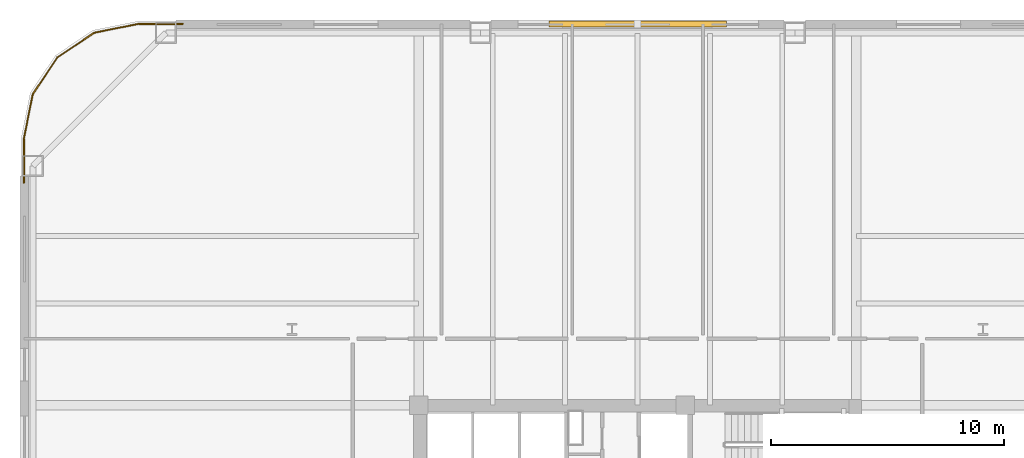
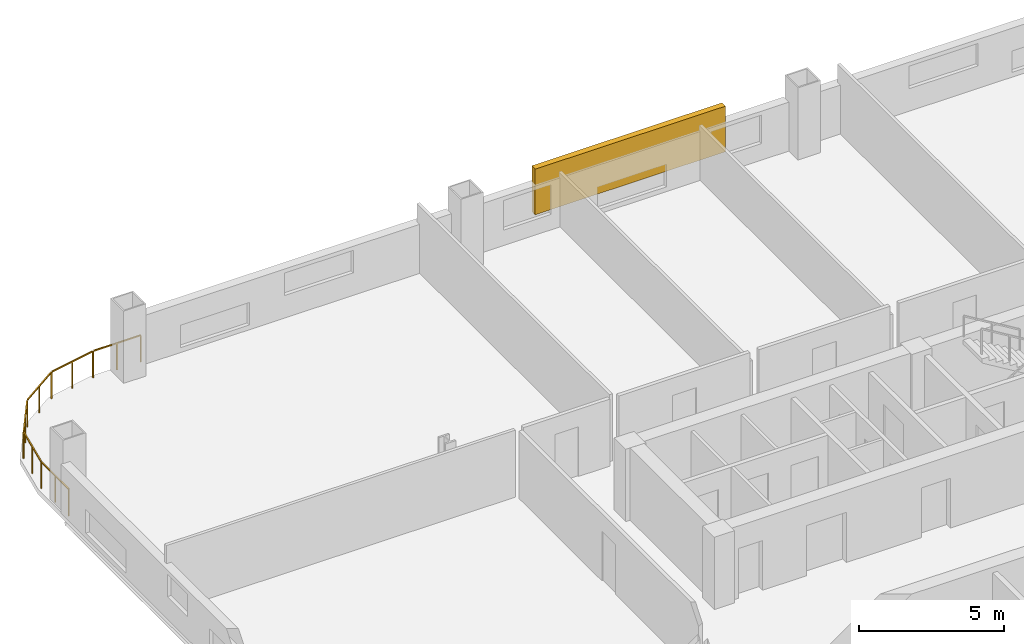
# One storey, part 11 of 12: 1 railing, 1 shading device.
"""IFC4 building model written with IfcOpenShell, lengths in metres."""

from ifc_helpers import new_model, si_unit, direction, frame, origin, origin_2d, place, context, subcontext, project, spatial, rectangle, extrude, material, type_object, element, save


model = new_model("IFC4")

# Units and contexts
model_context = context("Model", 3, precision=1e-05, world=origin(), true_north=direction((0.0, 1.0)))
body_context = subcontext(model_context, "Body", "Model", "MODEL_VIEW")
ifc_project = project(units=[si_unit("LENGTHUNIT", "METRE"), si_unit("AREAUNIT", "SQUARE_METRE"), si_unit("VOLUMEUNIT", "CUBIC_METRE"), si_unit("PLANEANGLEUNIT", "RADIAN"), si_unit("MASSUNIT", "GRAM", prefix="KILO")], contexts=[model_context])

# Site, building, storey
site_placement = place(None, origin())
site = spatial("IfcSite", under=ifc_project, at=site_placement, CompositionType="ELEMENT")
building_placement = place(site_placement, origin())
building = spatial("IfcBuilding", under=site, at=building_placement, Name="Qhalaya Broadcast Tower", CompositionType="ELEMENT")
storey_placement = place(building_placement, frame((0.0, 0.0, 35.25)))
storey = spatial("IfcBuildingStorey", under=building, at=storey_placement, Name="L09", CompositionType="ELEMENT", Elevation=35.25)

# Railing
ifc_material_1 = material(Name="Powder-Coated Galvanised Steel", Category="steel")
railing_type = type_object("IfcRailingType", Name="Terrace, Sky-Pool & Lookout Glass Balustrade 1150", PredefinedType="BALUSTRADE", material=ifc_material_1)
railing_placement = place(storey_placement, frame((-26.280029296875, 19.48193359375, 0.0)))
element("IfcRailing", 1, at=railing_placement, inside=storey, type_object=railing_type, Name="L09 Rounded Corner Perimeter Guard 03", PredefinedType="BALUSTRADE", context=body_context, shape_type="SweptSolid", body=[
    extrude(rectangle(XDim=0.048095703125, YDim=0.048095703125, at=origin_2d()), frame((0.0, 0.0, 1.1259765625), z_axis=(0.0, 1.0, 0.0), x_axis=(-1.0, 0.0, 0.0)), (0.0, 0.0, 1.0), 1.87744140625),
    extrude(rectangle(XDim=0.048095703125, YDim=0.048095703125, at=origin_2d()), frame((0.005615234375, 1.9345703125, 1.1259765625), z_axis=(0.195037378397, 0.980795810058, 0.0), x_axis=(-0.980795810058, 0.195037378397, 0.0)), (0.0, 0.0, 1.0), 1.857421875),
    extrude(rectangle(XDim=0.048095703125, YDim=0.048095703125, at=origin_2d()), frame((0.3896484375, 3.80859375, 1.1259765625), z_axis=(0.555558355728, 0.831477548332, 0.0), x_axis=(-0.831477548332, 0.555558355728, 0.0)), (0.0, 0.0, 1.0), 1.845458984375),
    extrude(rectangle(XDim=0.048095703125, YDim=0.048095703125, at=origin_2d()), frame((1.454833984375, 5.38330078125, 1.1259765625), z_axis=(0.831477548332, 0.555558355728, 0.0), x_axis=(-0.555558355728, 0.831477548332, 0.0)), (0.0, 0.0, 1.0), 1.845458984375),
    extrude(rectangle(XDim=0.048095703125, YDim=0.048095703125, at=origin_2d()), frame((3.041748046875, 6.43017578125, 1.1259765625), z_axis=(0.980795810058, 0.195037378397, 0.0), x_axis=(-0.195037378397, 0.980795810058, 0.0)), (0.0, 0.0, 1.0), 1.857421875),
    extrude(rectangle(XDim=0.048095703125, YDim=0.048095703125, at=origin_2d()), frame((4.920654296875, 6.798095703125, 1.1259765625), z_axis=(1.0, 0.0, 0.0), x_axis=(0.0, 1.0, 0.0)), (0.0, 0.0, 1.0), 1.87744140625),
    extrude(rectangle(XDim=0.0419921875, YDim=0.0419921875, at=origin_2d()), origin(), (0.0, 0.0, 1.0), 1.099853515625),
    extrude(rectangle(XDim=0.0419921875, YDim=0.0419921875, at=origin_2d()), frame((0.0, 0.953125, 0.0)), (0.0, 0.0, 1.0), 1.099853515625),
    extrude(rectangle(XDim=0.0419921875, YDim=0.0419921875, at=origin_2d()), frame((0.0, 1.90625, 0.0)), (0.0, 0.0, 1.0), 1.099853515625),
    extrude(rectangle(XDim=0.0419921875, YDim=0.0419921875, at=origin_2d()), frame((0.186767578125, 2.845458984375, 0.0)), (0.0, 0.0, 1.0), 1.099853515625),
    extrude(rectangle(XDim=0.0419921875, YDim=0.0419921875, at=origin_2d()), frame((0.37353515625, 3.78466796875, 0.0)), (0.0, 0.0, 1.0), 1.099853515625),
    extrude(rectangle(XDim=0.0419921875, YDim=0.0419921875, at=origin_2d()), frame((0.90234375, 4.575927734375, 0.0)), (0.0, 0.0, 1.0), 1.099853515625),
    extrude(rectangle(XDim=0.0419921875, YDim=0.0419921875, at=origin_2d()), frame((1.430908203125, 5.3671875, 0.0)), (0.0, 0.0, 1.0), 1.099853515625),
    extrude(rectangle(XDim=0.0419921875, YDim=0.0419921875, at=origin_2d()), frame((2.22216796875, 5.89599609375, 0.0)), (0.0, 0.0, 1.0), 1.099853515625),
    extrude(rectangle(XDim=0.0419921875, YDim=0.0419921875, at=origin_2d()), frame((3.013427734375, 6.424560546875, 0.0)), (0.0, 0.0, 1.0), 1.099853515625),
    extrude(rectangle(XDim=0.0419921875, YDim=0.0419921875, at=origin_2d()), frame((3.95263671875, 6.611328125, 0.0)), (0.0, 0.0, 1.0), 1.099853515625),
    extrude(rectangle(XDim=0.0419921875, YDim=0.0419921875, at=origin_2d()), frame((4.891845703125, 6.798095703125, 0.0)), (0.0, 0.0, 1.0), 1.099853515625),
    extrude(rectangle(XDim=0.0419921875, YDim=0.0419921875, at=origin_2d()), frame((5.844970703125, 6.798095703125, 0.0)), (0.0, 0.0, 1.0), 1.099853515625),
    extrude(rectangle(XDim=0.0419921875, YDim=0.0419921875, at=origin_2d()), frame((6.798095703125, 6.798095703125, 0.0)), (0.0, 0.0, 1.0), 1.099853515625),
])

# Shading device
ifc_material_2 = material(Name="Fired Architectural Terracotta", Category="masonry")
shading_device_type = type_object("IfcShadingDeviceType", Name="Terracotta Baguette Solar Screen Assembly TBS-01", PredefinedType="USERDEFINED", material=ifc_material_2)
shading_device_placement = place(storey_placement, frame((0.0, 26.280029296875, 0.79248046875), z_axis=(0.0, 0.0, 1.0), x_axis=(-1.0, 0.0, 0.0)))
element("IfcShadingDevice", 2, at=shading_device_placement, inside=storey, type_object=shading_device_type, Name="L09 Fired Terracotta Baguette Screen N", ObjectType="BAGUETTE", PredefinedType="USERDEFINED", context=body_context, shape_type="SweptSolid", body=[
    extrude(rectangle(XDim=7.60009765625, YDim=0.239990234375, at=origin_2d()), origin(), (0.0, 0.0, 1.0), 1.924072265625),
])

save(model, "model.ifc")
